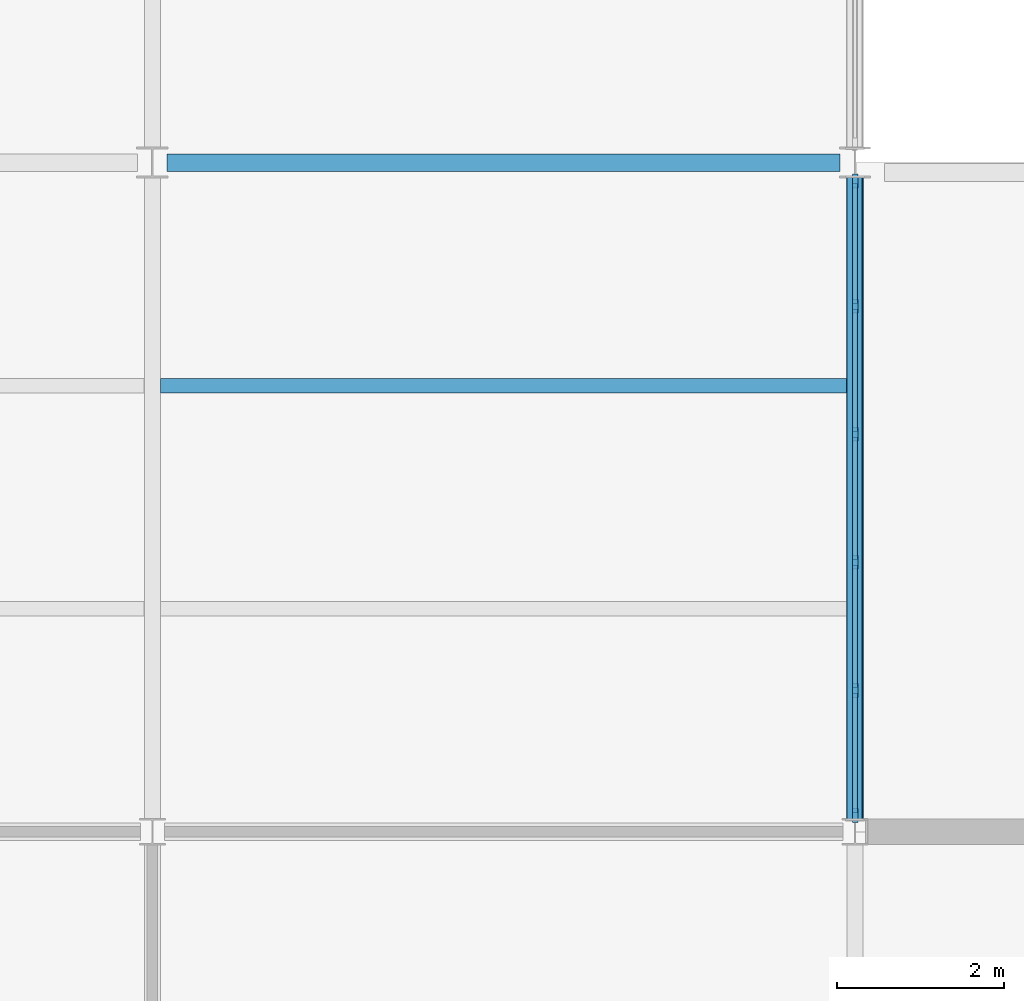
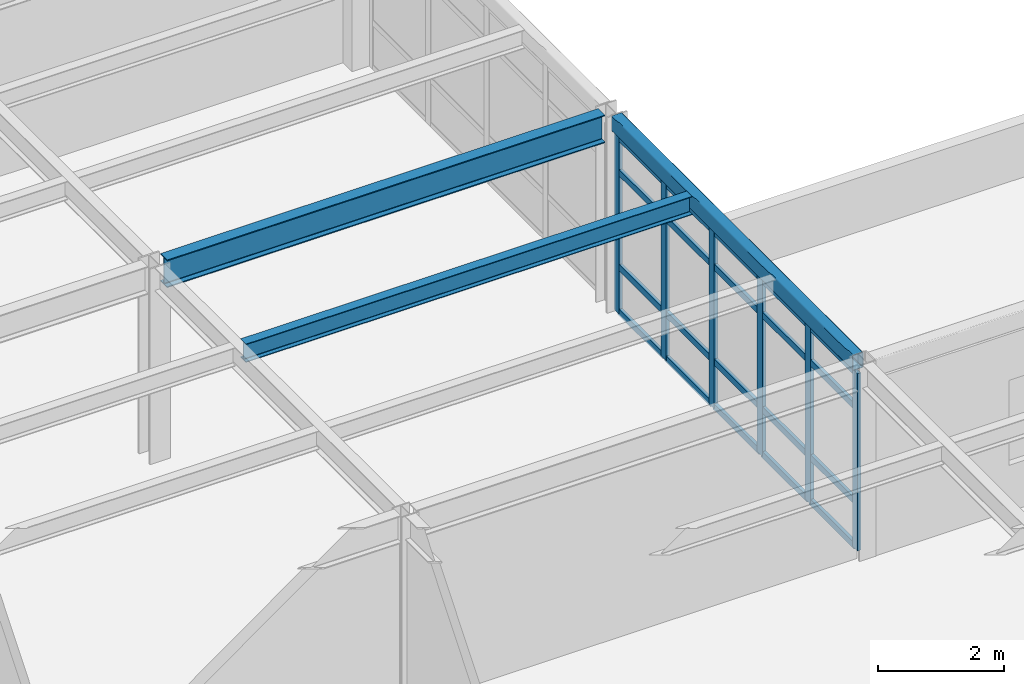
# One storey, part 36 of 138: 26 members, 3 beams, 1 element without a shape of its own.
"""IFC4 building model written with IfcOpenShell, lengths in metres."""

from ifc_helpers import new_model, si_unit, direction, frame, origin, origin_2d, place, context, subcontext, project, spatial, rectangle, hollow_rectangle, i_section, extrude, material, layer, layer_set, material_profile, profile_set, type_object, element, aggregate, save


model = new_model("IFC4")

# Units and contexts
model_context = context("Model", 3, precision=1e-05, world=origin(), true_north=direction((0.0, 1.0)))
body_context = subcontext(model_context, "Body", "Model", "MODEL_VIEW")
ifc_project = project(units=[si_unit("LENGTHUNIT", "METRE"), si_unit("AREAUNIT", "SQUARE_METRE"), si_unit("VOLUMEUNIT", "CUBIC_METRE"), si_unit("PLANEANGLEUNIT", "RADIAN"), si_unit("MASSUNIT", "GRAM", prefix="KILO")], contexts=[model_context])

# Site, building, storey
site_placement = place(None, origin())
site = spatial("IfcSite", under=ifc_project, at=site_placement, CompositionType="ELEMENT")
building_placement = place(site_placement, origin())
building = spatial("IfcBuilding", under=site, at=building_placement, Name="Kranzveld Transit Interchange", CompositionType="ELEMENT")
storey_placement = place(building_placement, frame((0.0, 0.0, 5.43994140625)))
storey = spatial("IfcBuildingStorey", under=building, at=storey_placement, Name="L01", CompositionType="ELEMENT", Elevation=5.43994140625)

# Curtain wall, members
ifc_material_1 = material(Name="Bronze-anodised thermally broken aluminium", Category="aluminium")
ifc_layer = layer(ifc_material_1, 0.1650390625)
ifc_layer_set = layer_set([ifc_layer], Name="Bronze-anodised thermally broken aluminium")
curtain_wall_type = type_object("IfcCurtainWallType", Name="Sunny Court Arcade Curtain Wall CW-2", PredefinedType="USERDEFINED", material=ifc_layer_set)
curtain_wall_placement = place(storey_placement, origin())
curtain_wall = element("IfcCurtainWall", 1, at=curtain_wall_placement, inside=storey, type_object=curtain_wall_type, Name="L01 Curtain Wall 15/H-15/J", ObjectType="CURTAIN WALL", PredefinedType="USERDEFINED")
ifc_material_2 = material(Name="Bronze-anodised thermally broken aluminium", Category="aluminium")
ifc_material_profile_1 = material_profile(ifc_material_2, rectangle(XDim=0.06494140625, YDim=0.1650390625, at=origin_2d()), Name="ALU MULLION 65x165")
ifc_profile_set_1 = profile_set([ifc_material_profile_1], Name="Bronze-anodised thermally broken aluminium")
member_type_1 = type_object("IfcMemberType", Name="Curtain Wall Mullion 65x165 Alu", PredefinedType="MULLION", material=ifc_profile_set_1)
member_1_placement = place(storey_placement, frame((117.60009765625, 56.19287109375, 0.0), z_axis=(0.0, 0.0, 1.0), x_axis=(-1.0, 0.0, 0.0)))
member_1 = element("IfcMember", 2, at=member_1_placement, type_object=member_type_1, Name="CW-2 mullion 1", PredefinedType="MULLION", context=body_context, shape_type="SweptSolid", body=[
    extrude(rectangle(XDim=0.06494140625, YDim=0.1650390625, at=origin_2d()), origin(), (0.0, 0.0, 1.0), 3.442138671875),
])
member_2_placement = place(storey_placement, frame((117.60009765625, 57.690673828125, 0.0), z_axis=(0.0, 0.0, 1.0), x_axis=(-1.0, 0.0, 0.0)))
member_2 = element("IfcMember", 3, at=member_2_placement, type_object=member_type_1, Name="CW-2 mullion 2", PredefinedType="MULLION", context=body_context, shape_type="SweptSolid", body=[
    extrude(rectangle(XDim=0.06494140625, YDim=0.1650390625, at=origin_2d()), origin(), (0.0, 0.0, 1.0), 3.442138671875),
])
member_3_placement = place(storey_placement, frame((117.60009765625, 59.22119140625, 0.0), z_axis=(0.0, 0.0, 1.0), x_axis=(-1.0, 0.0, 0.0)))
member_3 = element("IfcMember", 4, at=member_3_placement, type_object=member_type_1, Name="CW-2 mullion 3", PredefinedType="MULLION", context=body_context, shape_type="SweptSolid", body=[
    extrude(rectangle(XDim=0.06494140625, YDim=0.1650390625, at=origin_2d()), origin(), (0.0, 0.0, 1.0), 3.442138671875),
])
member_4_placement = place(storey_placement, frame((117.60009765625, 60.751708984375, 0.0), z_axis=(0.0, 0.0, 1.0), x_axis=(-1.0, 0.0, 0.0)))
member_4 = element("IfcMember", 5, at=member_4_placement, type_object=member_type_1, Name="CW-2 mullion 4", PredefinedType="MULLION", context=body_context, shape_type="SweptSolid", body=[
    extrude(rectangle(XDim=0.06494140625, YDim=0.1650390625, at=origin_2d()), origin(), (0.0, 0.0, 1.0), 3.442138671875),
])
member_5_placement = place(storey_placement, frame((117.60009765625, 62.2822265625, 0.0), z_axis=(0.0, 0.0, 1.0), x_axis=(-1.0, 0.0, 0.0)))
member_5 = element("IfcMember", 6, at=member_5_placement, type_object=member_type_1, Name="CW-2 mullion 5", PredefinedType="MULLION", context=body_context, shape_type="SweptSolid", body=[
    extrude(rectangle(XDim=0.06494140625, YDim=0.1650390625, at=origin_2d()), origin(), (0.0, 0.0, 1.0), 3.442138671875),
])
member_6_placement = place(storey_placement, frame((117.60009765625, 63.7802734375, 0.0), z_axis=(0.0, 0.0, 1.0), x_axis=(-1.0, 0.0, 0.0)))
member_6 = element("IfcMember", 7, at=member_6_placement, type_object=member_type_1, Name="CW-2 mullion 6", PredefinedType="MULLION", context=body_context, shape_type="SweptSolid", body=[
    extrude(rectangle(XDim=0.06494140625, YDim=0.1650390625, at=origin_2d()), origin(), (0.0, 0.0, 1.0), 3.442138671875),
])
ifc_material_3 = material(Name="Bronze-anodised thermally broken aluminium", Category="aluminium")
ifc_material_profile_2 = material_profile(ifc_material_3, rectangle(XDim=0.06005859375, YDim=0.125, at=origin_2d()), Name="ALU TRANSOM 60x125")
ifc_profile_set_2 = profile_set([ifc_material_profile_2], Name="Bronze-anodised thermally broken aluminium")
member_type_2 = type_object("IfcMemberType", Name="Curtain Wall Transom 60x125 Alu", PredefinedType="USERDEFINED", material=ifc_profile_set_2)
member_7_placement = place(storey_placement, frame((117.60009765625, 56.225341796875, 0.030029296875), z_axis=(0.0, 1.0, 0.0), x_axis=(-1.0, 0.0, 0.0)))
member_7 = element("IfcMember", 8, at=member_7_placement, type_object=member_type_2, Name="CW-2 transom 1.1", ObjectType="TRANSOM", PredefinedType="USERDEFINED", context=body_context, shape_type="SweptSolid", body=[
    extrude(rectangle(XDim=0.06005859375, YDim=0.125, at=origin_2d()), origin(), (0.0, 0.0, 1.0), 1.432861328125),
])
member_8_placement = place(storey_placement, frame((117.60009765625, 56.225341796875, 0.900146484375), z_axis=(0.0, 1.0, 0.0), x_axis=(-1.0, 0.0, 0.0)))
member_8 = element("IfcMember", 9, at=member_8_placement, type_object=member_type_2, Name="CW-2 transom 1.2", ObjectType="TRANSOM", PredefinedType="USERDEFINED", context=body_context, shape_type="SweptSolid", body=[
    extrude(rectangle(XDim=0.06005859375, YDim=0.125, at=origin_2d()), origin(), (0.0, 0.0, 1.0), 1.432861328125),
])
member_9_placement = place(storey_placement, frame((117.60009765625, 56.225341796875, 2.741943359375), z_axis=(0.0, 1.0, 0.0), x_axis=(-1.0, 0.0, 0.0)))
member_9 = element("IfcMember", 10, at=member_9_placement, type_object=member_type_2, Name="CW-2 transom 1.3", ObjectType="TRANSOM", PredefinedType="USERDEFINED", context=body_context, shape_type="SweptSolid", body=[
    extrude(rectangle(XDim=0.06005859375, YDim=0.125, at=origin_2d()), origin(), (0.0, 0.0, 1.0), 1.432861328125),
])
member_10_placement = place(storey_placement, frame((117.60009765625, 56.225341796875, 3.412109375), z_axis=(0.0, 1.0, 0.0), x_axis=(-1.0, 0.0, 0.0)))
member_10 = element("IfcMember", 11, at=member_10_placement, type_object=member_type_2, Name="CW-2 transom 1.4", ObjectType="TRANSOM", PredefinedType="USERDEFINED", context=body_context, shape_type="SweptSolid", body=[
    extrude(rectangle(XDim=0.06005859375, YDim=0.125, at=origin_2d()), origin(), (0.0, 0.0, 1.0), 1.432861328125),
])
member_11_placement = place(storey_placement, frame((117.60009765625, 57.723388671875, 0.030029296875), z_axis=(0.0, 1.0, 0.0), x_axis=(-1.0, 0.0, 0.0)))
member_11 = element("IfcMember", 12, at=member_11_placement, type_object=member_type_2, Name="CW-2 transom 2.1", ObjectType="TRANSOM", PredefinedType="USERDEFINED", context=body_context, shape_type="SweptSolid", body=[
    extrude(rectangle(XDim=0.06005859375, YDim=0.125, at=origin_2d()), origin(), (0.0, 0.0, 1.0), 1.46533203125),
])
member_12_placement = place(storey_placement, frame((117.60009765625, 57.723388671875, 0.900146484375), z_axis=(0.0, 1.0, 0.0), x_axis=(-1.0, 0.0, 0.0)))
member_12 = element("IfcMember", 13, at=member_12_placement, type_object=member_type_2, Name="CW-2 transom 2.2", ObjectType="TRANSOM", PredefinedType="USERDEFINED", context=body_context, shape_type="SweptSolid", body=[
    extrude(rectangle(XDim=0.06005859375, YDim=0.125, at=origin_2d()), origin(), (0.0, 0.0, 1.0), 1.46533203125),
])
member_13_placement = place(storey_placement, frame((117.60009765625, 57.723388671875, 2.741943359375), z_axis=(0.0, 1.0, 0.0), x_axis=(-1.0, 0.0, 0.0)))
member_13 = element("IfcMember", 14, at=member_13_placement, type_object=member_type_2, Name="CW-2 transom 2.3", ObjectType="TRANSOM", PredefinedType="USERDEFINED", context=body_context, shape_type="SweptSolid", body=[
    extrude(rectangle(XDim=0.06005859375, YDim=0.125, at=origin_2d()), origin(), (0.0, 0.0, 1.0), 1.46533203125),
])
member_14_placement = place(storey_placement, frame((117.60009765625, 57.723388671875, 3.412109375), z_axis=(0.0, 1.0, 0.0), x_axis=(-1.0, 0.0, 0.0)))
member_14 = element("IfcMember", 15, at=member_14_placement, type_object=member_type_2, Name="CW-2 transom 2.4", ObjectType="TRANSOM", PredefinedType="USERDEFINED", context=body_context, shape_type="SweptSolid", body=[
    extrude(rectangle(XDim=0.06005859375, YDim=0.125, at=origin_2d()), origin(), (0.0, 0.0, 1.0), 1.46533203125),
])
member_15_placement = place(storey_placement, frame((117.60009765625, 59.253662109375, 0.030029296875), z_axis=(0.0, 1.0, 0.0), x_axis=(-1.0, 0.0, 0.0)))
member_15 = element("IfcMember", 16, at=member_15_placement, type_object=member_type_2, Name="CW-2 transom 3.1", ObjectType="TRANSOM", PredefinedType="USERDEFINED", context=body_context, shape_type="SweptSolid", body=[
    extrude(rectangle(XDim=0.06005859375, YDim=0.125, at=origin_2d()), origin(), (0.0, 0.0, 1.0), 1.465576171875),
])
member_16_placement = place(storey_placement, frame((117.60009765625, 59.253662109375, 0.900146484375), z_axis=(0.0, 1.0, 0.0), x_axis=(-1.0, 0.0, 0.0)))
member_16 = element("IfcMember", 17, at=member_16_placement, type_object=member_type_2, Name="CW-2 transom 3.2", ObjectType="TRANSOM", PredefinedType="USERDEFINED", context=body_context, shape_type="SweptSolid", body=[
    extrude(rectangle(XDim=0.06005859375, YDim=0.125, at=origin_2d()), origin(), (0.0, 0.0, 1.0), 1.465576171875),
])
member_17_placement = place(storey_placement, frame((117.60009765625, 59.253662109375, 2.741943359375), z_axis=(0.0, 1.0, 0.0), x_axis=(-1.0, 0.0, 0.0)))
member_17 = element("IfcMember", 18, at=member_17_placement, type_object=member_type_2, Name="CW-2 transom 3.3", ObjectType="TRANSOM", PredefinedType="USERDEFINED", context=body_context, shape_type="SweptSolid", body=[
    extrude(rectangle(XDim=0.06005859375, YDim=0.125, at=origin_2d()), origin(), (0.0, 0.0, 1.0), 1.465576171875),
])
member_18_placement = place(storey_placement, frame((117.60009765625, 59.253662109375, 3.412109375), z_axis=(0.0, 1.0, 0.0), x_axis=(-1.0, 0.0, 0.0)))
member_18 = element("IfcMember", 19, at=member_18_placement, type_object=member_type_2, Name="CW-2 transom 3.4", ObjectType="TRANSOM", PredefinedType="USERDEFINED", context=body_context, shape_type="SweptSolid", body=[
    extrude(rectangle(XDim=0.06005859375, YDim=0.125, at=origin_2d()), origin(), (0.0, 0.0, 1.0), 1.465576171875),
])
member_19_placement = place(storey_placement, frame((117.60009765625, 60.7841796875, 0.030029296875), z_axis=(0.0, 1.0, 0.0), x_axis=(-1.0, 0.0, 0.0)))
member_19 = element("IfcMember", 20, at=member_19_placement, type_object=member_type_2, Name="CW-2 transom 4.1", ObjectType="TRANSOM", PredefinedType="USERDEFINED", context=body_context, shape_type="SweptSolid", body=[
    extrude(rectangle(XDim=0.06005859375, YDim=0.125, at=origin_2d()), origin(), (0.0, 0.0, 1.0), 1.465576171875),
])
member_20_placement = place(storey_placement, frame((117.60009765625, 60.7841796875, 0.900146484375), z_axis=(0.0, 1.0, 0.0), x_axis=(-1.0, 0.0, 0.0)))
member_20 = element("IfcMember", 21, at=member_20_placement, type_object=member_type_2, Name="CW-2 transom 4.2", ObjectType="TRANSOM", PredefinedType="USERDEFINED", context=body_context, shape_type="SweptSolid", body=[
    extrude(rectangle(XDim=0.06005859375, YDim=0.125, at=origin_2d()), origin(), (0.0, 0.0, 1.0), 1.465576171875),
])
member_21_placement = place(storey_placement, frame((117.60009765625, 60.7841796875, 2.741943359375), z_axis=(0.0, 1.0, 0.0), x_axis=(-1.0, 0.0, 0.0)))
member_21 = element("IfcMember", 22, at=member_21_placement, type_object=member_type_2, Name="CW-2 transom 4.3", ObjectType="TRANSOM", PredefinedType="USERDEFINED", context=body_context, shape_type="SweptSolid", body=[
    extrude(rectangle(XDim=0.06005859375, YDim=0.125, at=origin_2d()), origin(), (0.0, 0.0, 1.0), 1.465576171875),
])
member_22_placement = place(storey_placement, frame((117.60009765625, 60.7841796875, 3.412109375), z_axis=(0.0, 1.0, 0.0), x_axis=(-1.0, 0.0, 0.0)))
member_22 = element("IfcMember", 23, at=member_22_placement, type_object=member_type_2, Name="CW-2 transom 4.4", ObjectType="TRANSOM", PredefinedType="USERDEFINED", context=body_context, shape_type="SweptSolid", body=[
    extrude(rectangle(XDim=0.06005859375, YDim=0.125, at=origin_2d()), origin(), (0.0, 0.0, 1.0), 1.465576171875),
])
member_23_placement = place(storey_placement, frame((117.60009765625, 62.314697265625, 0.030029296875), z_axis=(0.0, 1.0, 0.0), x_axis=(-1.0, 0.0, 0.0)))
member_23 = element("IfcMember", 24, at=member_23_placement, type_object=member_type_2, Name="CW-2 transom 5.1", ObjectType="TRANSOM", PredefinedType="USERDEFINED", context=body_context, shape_type="SweptSolid", body=[
    extrude(rectangle(XDim=0.06005859375, YDim=0.125, at=origin_2d()), origin(), (0.0, 0.0, 1.0), 1.43310546875),
])
member_24_placement = place(storey_placement, frame((117.60009765625, 62.314697265625, 0.900146484375), z_axis=(0.0, 1.0, 0.0), x_axis=(-1.0, 0.0, 0.0)))
member_24 = element("IfcMember", 25, at=member_24_placement, type_object=member_type_2, Name="CW-2 transom 5.2", ObjectType="TRANSOM", PredefinedType="USERDEFINED", context=body_context, shape_type="SweptSolid", body=[
    extrude(rectangle(XDim=0.06005859375, YDim=0.125, at=origin_2d()), origin(), (0.0, 0.0, 1.0), 1.43310546875),
])
member_25_placement = place(storey_placement, frame((117.60009765625, 62.314697265625, 2.741943359375), z_axis=(0.0, 1.0, 0.0), x_axis=(-1.0, 0.0, 0.0)))
member_25 = element("IfcMember", 26, at=member_25_placement, type_object=member_type_2, Name="CW-2 transom 5.3", ObjectType="TRANSOM", PredefinedType="USERDEFINED", context=body_context, shape_type="SweptSolid", body=[
    extrude(rectangle(XDim=0.06005859375, YDim=0.125, at=origin_2d()), origin(), (0.0, 0.0, 1.0), 1.43310546875),
])
member_26_placement = place(storey_placement, frame((117.60009765625, 62.314697265625, 3.412109375), z_axis=(0.0, 1.0, 0.0), x_axis=(-1.0, 0.0, 0.0)))
member_26 = element("IfcMember", 27, at=member_26_placement, type_object=member_type_2, Name="CW-2 transom 5.4", ObjectType="TRANSOM", PredefinedType="USERDEFINED", context=body_context, shape_type="SweptSolid", body=[
    extrude(rectangle(XDim=0.06005859375, YDim=0.125, at=origin_2d()), origin(), (0.0, 0.0, 1.0), 1.43310546875),
])
aggregate(curtain_wall, [member_1, member_2, member_3, member_4, member_5, member_6, member_7, member_8, member_9, member_10, member_11, member_12, member_13, member_14, member_15, member_16, member_17, member_18, member_19, member_20, member_21, member_22, member_23, member_24, member_25, member_26])

# Beams
ifc_material_4 = material(Name="Steel S355JR", Category="steel")
ifc_material_profile_3 = material_profile(ifc_material_4, hollow_rectangle(XDim=0.199951171875, YDim=0.300048828125, WallThickness=0.010009765625, InnerFilletRadius=0.014892578125, OuterFilletRadius=0.02490234375, at=origin_2d()), Name="RHS 300x200x10")
ifc_profile_set_3 = profile_set([ifc_material_profile_3], Name="Steel S355JR")
beam_type_1 = type_object("IfcBeamType", Name="Edge Spandrel RHS 300x200x10 S355JR", PredefinedType="SPANDREL", material=ifc_profile_set_3)
beam_1_placement = place(storey_placement, frame((117.60009765625, 56.150146484375, 3.650146484375), z_axis=(0.0, 1.0, 0.0), x_axis=(-1.0, 0.0, 0.0)))
element("IfcBeam", 28, at=beam_1_placement, inside=storey, type_object=beam_type_1, Name="L01 Girder 15/H-J", PredefinedType="SPANDREL", context=body_context, shape_type="SweptSolid", body=[
    extrude(hollow_rectangle(XDim=0.199951171875, YDim=0.300048828125, WallThickness=0.010009765625, InnerFilletRadius=0.014892578125, OuterFilletRadius=0.02490234375, at=origin_2d()), origin(), (0.0, 0.0, 1.0), 7.672607421875),
])
ifc_material_5 = material(Name="Steel S355JR", Category="steel")
ifc_material_profile_4 = material_profile(ifc_material_5, i_section(OverallWidth=0.172119140625, OverallDepth=0.35791015625, WebThickness=0.008056640625, FlangeThickness=0.012939453125, FilletRadius=0.01025390625, at=origin_2d()), Name="UB 356x171x57")
ifc_profile_set_4 = profile_set([ifc_material_profile_4], Name="Steel S355JR")
beam_type_2 = type_object("IfcBeamType", Name="Floor Joist UB 356x171x57 S355JR", PredefinedType="JOIST", material=ifc_profile_set_4)
beam_2_placement = place(storey_placement, frame((109.2978515625, 61.333251953125, 3.62109375), z_axis=(1.0, 0.0, 0.0), x_axis=(0.0, 1.0, 0.0)))
element("IfcBeam", 29, at=beam_2_placement, inside=storey, type_object=beam_type_2, Name="L01 Secondary Joist 14-15/H.2", PredefinedType="JOIST", context=body_context, shape_type="SweptSolid", body=[
    extrude(i_section(OverallWidth=0.172119140625, OverallDepth=0.35791015625, WebThickness=0.008056640625, FlangeThickness=0.012939453125, FilletRadius=0.01025390625, at=origin_2d()), origin(), (0.0, 0.0, 1.0), 8.2001953125),
])
ifc_material_6 = material(Name="Steel S355JR", Category="steel")
ifc_material_profile_5 = material_profile(ifc_material_6, i_section(OverallWidth=0.210693359375, OverallDepth=0.53955078125, WebThickness=0.01171875, FlangeThickness=0.018798828125, FilletRadius=0.0126953125, at=origin_2d()), Name="UB 533x210x109")
ifc_profile_set_5 = profile_set([ifc_material_profile_5], Name="Steel S355JR")
beam_type_3 = type_object("IfcBeamType", Name="Girder Steel UB 533x210x109 S355JR", PredefinedType="BEAM", material=ifc_profile_set_5)
beam_3_placement = place(storey_placement, frame((109.377197265625, 64.0, 3.5302734375), z_axis=(1.0, 0.0, 0.0), x_axis=(0.0, 1.0, 0.0)))
element("IfcBeam", 30, at=beam_3_placement, inside=storey, type_object=beam_type_3, Name="L01 Girder 14-15/J", PredefinedType="BEAM", context=body_context, shape_type="SweptSolid", body=[
    extrude(i_section(OverallWidth=0.210693359375, OverallDepth=0.53955078125, WebThickness=0.01171875, FlangeThickness=0.018798828125, FilletRadius=0.0126953125, at=origin_2d()), origin(), (0.0, 0.0, 1.0), 8.04541015625),
])

save(model, "model.ifc")
